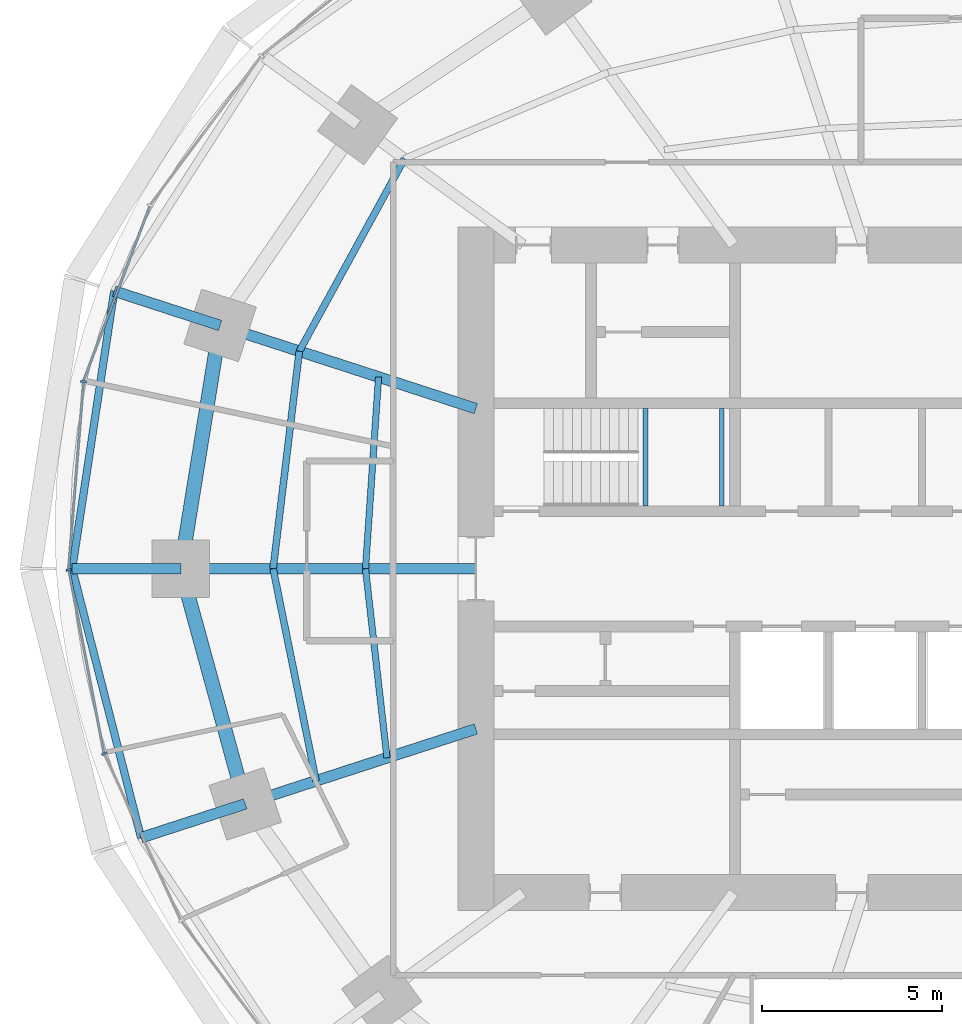
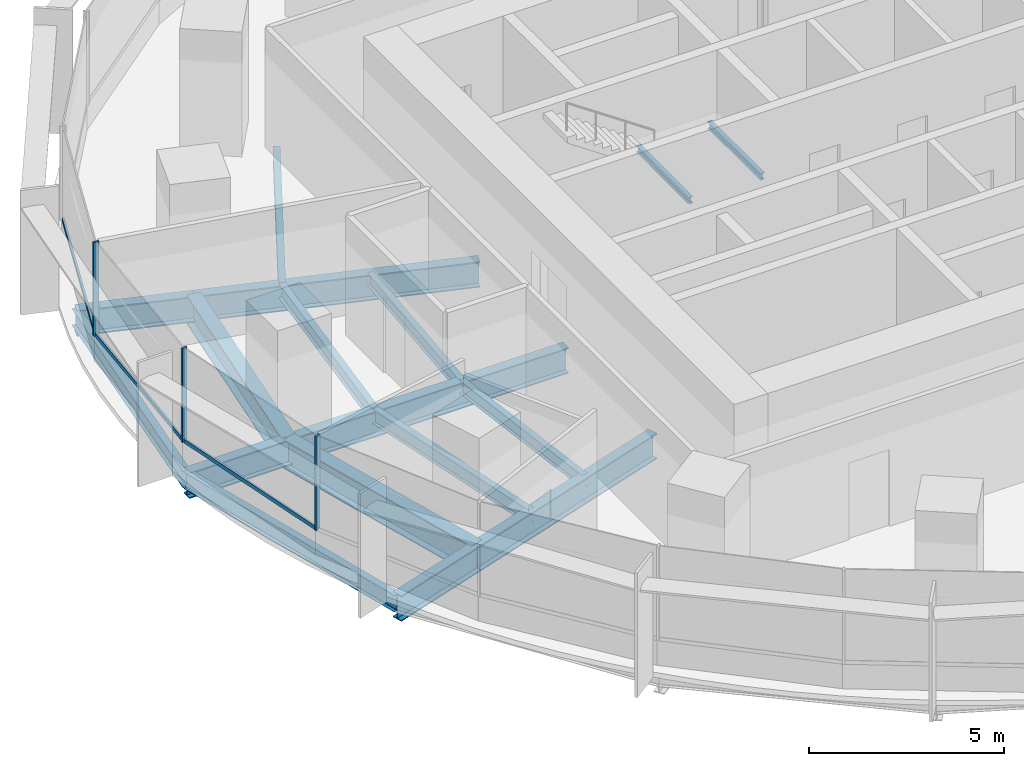
# One storey, part 4 of 14: 17 beams, 6 members, 2 elements without a shape of their own.
"""IFC4 building model written with IfcOpenShell, lengths in metres."""

from ifc_helpers import new_model, si_unit, direction, frame, origin, origin_2d, place, context, subcontext, project, spatial, rectangle, i_section, extrude, material, material_profile, profile_set, type_object, element, aggregate, save


model = new_model("IFC4")

# Units and contexts
model_context = context("Model", 3, precision=1e-05, world=origin(), true_north=direction((0.0, 1.0)))
body_context = subcontext(model_context, "Body", "Model", "MODEL_VIEW")
ifc_project = project(units=[si_unit("LENGTHUNIT", "METRE"), si_unit("AREAUNIT", "SQUARE_METRE"), si_unit("VOLUMEUNIT", "CUBIC_METRE"), si_unit("PLANEANGLEUNIT", "RADIAN"), si_unit("MASSUNIT", "GRAM", prefix="KILO")], contexts=[model_context])

# Site, building, storey
site_placement = place(None, origin())
site = spatial("IfcSite", under=ifc_project, at=site_placement, CompositionType="ELEMENT")
building_placement = place(site_placement, origin())
building = spatial("IfcBuilding", under=site, at=building_placement, Name="Marramba Exchange Tower", CompositionType="ELEMENT")
storey_placement = place(building_placement, frame((0.0, 0.0, 119.699951171875)))
storey = spatial("IfcBuildingStorey", under=building, at=storey_placement, Name="L28", CompositionType="ELEMENT", Elevation=119.699951171875)

# Beams
ifc_material_1 = material(Name="Steel AS/NZS 3679.2 grade 300", Category="steel")
ifc_material_profile_1 = material_profile(ifc_material_1, i_section(OverallWidth=0.300048828125, OverallDepth=0.800048828125, WebThickness=0.013916015625, FlangeThickness=0.031982421875, at=origin_2d()), Name="800WB192")
ifc_profile_set_1 = profile_set([ifc_material_profile_1], Name="Steel AS/NZS 3679.2 grade 300")
beam_type_1 = type_object("IfcBeamType", Name="Cantilever girder 800WB192", PredefinedType="BEAM", material=ifc_profile_set_1)
beam_1_placement = place(storey_placement, frame((-20.808349609375, 6.760986328125, -0.56005859375), z_axis=(-0.95104799017, 0.309043233858, 0.0), x_axis=(-0.309043233858, -0.95104799017, 0.0)))
element("IfcBeam", 1, at=beam_1_placement, inside=storey, type_object=beam_type_1, Name="Cantilever girder L28 TC10", PredefinedType="BEAM", context=body_context, shape_type="SweptSolid", body=[
    extrude(i_section(OverallWidth=0.300048828125, OverallDepth=0.800048828125, WebThickness=0.013916015625, FlangeThickness=0.031982421875, at=origin_2d()), origin(), (0.0, 0.0, 1.0), 3.0927734375),
])
beam_2_placement = place(storey_placement, frame((-21.89990234375, 0.0, -0.56005859375), z_axis=(-1.0, 0.0, 0.0), x_axis=(0.0, -1.0, 0.0)))
element("IfcBeam", 2, at=beam_2_placement, inside=storey, type_object=beam_type_1, Name="Cantilever girder L28 TC11", PredefinedType="BEAM", context=body_context, shape_type="SweptSolid", body=[
    extrude(i_section(OverallWidth=0.300048828125, OverallDepth=0.800048828125, WebThickness=0.013916015625, FlangeThickness=0.031982421875, at=origin_2d()), origin(), (0.0, 0.0, 1.0), 3.01806640625),
])
beam_3_placement = place(storey_placement, frame((-20.109375, -6.533935546875, -0.56005859375), z_axis=(-0.951070617775, -0.308973591113, 0.0), x_axis=(0.308973591113, -0.951070617775, 0.0)))
element("IfcBeam", 3, at=beam_3_placement, inside=storey, type_object=beam_type_1, Name="Cantilever girder L28 TC12", PredefinedType="BEAM", context=body_context, shape_type="SweptSolid", body=[
    extrude(i_section(OverallWidth=0.300048828125, OverallDepth=0.800048828125, WebThickness=0.013916015625, FlangeThickness=0.031982421875, at=origin_2d()), origin(), (0.0, 0.0, 1.0), 3.04296875),
])
ifc_material_2 = material(Name="Steel AS/NZS 3679.1 grade 300", Category="steel")
ifc_material_profile_2 = material_profile(ifc_material_2, i_section(OverallWidth=0.177978515625, OverallDepth=0.406005859375, WebThickness=0.0078125, FlangeThickness=0.0126953125, FilletRadius=0.011474609375, at=origin_2d()), Name="410UB59.7")
ifc_profile_set_2 = profile_set([ifc_material_profile_2], Name="Steel AS/NZS 3679.1 grade 300")
beam_type_2 = type_object("IfcBeamType", Name="Floor joist 410UB59.7", PredefinedType="JOIST", material=ifc_profile_set_2)
beam_4_placement = place(storey_placement, frame((-16.40283203125, 5.32958984375, -0.363037109375), z_axis=(-0.068096259546, -0.99767875563, 0.0), x_axis=(0.99767875563, -0.068096259546, 0.0)))
element("IfcBeam", 4, at=beam_4_placement, inside=storey, type_object=beam_type_2, Name="Joist L28 bay 10 row 1", PredefinedType="JOIST", context=body_context, shape_type="SweptSolid", body=[
    extrude(i_section(OverallWidth=0.177978515625, OverallDepth=0.406005859375, WebThickness=0.0078125, FlangeThickness=0.0126953125, FilletRadius=0.011474609375, at=origin_2d()), origin(), (0.0, 0.0, 1.0), 5.342041015625),
])
beam_5_placement = place(storey_placement, frame((-16.7666015625, 0.0, -0.363037109375), z_axis=(0.112888968594, -0.993607609054, 0.0), x_axis=(0.993607609054, 0.112888968594, 0.0)))
element("IfcBeam", 5, at=beam_5_placement, inside=storey, type_object=beam_type_2, Name="Joist L28 bay 11 row 1", PredefinedType="JOIST", context=body_context, shape_type="SweptSolid", body=[
    extrude(i_section(OverallWidth=0.177978515625, OverallDepth=0.406005859375, WebThickness=0.0078125, FlangeThickness=0.0126953125, FilletRadius=0.011474609375, at=origin_2d()), origin(), (0.0, 0.0, 1.0), 5.28759765625),
])
ifc_material_profile_3 = material_profile(ifc_material_2, i_section(OverallWidth=0.18994140625, OverallDepth=0.4541015625, WebThickness=0.008544921875, FlangeThickness=0.0126953125, FilletRadius=0.011474609375, at=origin_2d()), Name="460UB67.1")
ifc_profile_set_3 = profile_set([ifc_material_profile_3], Name="Steel AS/NZS 3679.1 grade 300")
beam_type_3 = type_object("IfcBeamType", Name="Floor joist 460UB67.1", PredefinedType="JOIST", material=ifc_profile_set_3)
beam_6_placement = place(storey_placement, frame((-15.682373046875, 11.393798828125, -0.386962890625), z_axis=(-0.479584443791, -0.877495732909, 0.0), x_axis=(0.877495732909, -0.479584443791, 0.0)))
element("IfcBeam", 6, at=beam_6_placement, inside=storey, type_object=beam_type_3, Name="Joist L28 bay 09 row 2", PredefinedType="JOIST", context=body_context, shape_type="SweptSolid", body=[
    extrude(i_section(OverallWidth=0.18994140625, OverallDepth=0.4541015625, WebThickness=0.008544921875, FlangeThickness=0.0126953125, FilletRadius=0.011474609375, at=origin_2d()), origin(), (0.0, 0.0, 1.0), 6.094970703125),
])
beam_7_placement = place(storey_placement, frame((-18.60546875, 6.04541015625, -0.386962890625), z_axis=(-0.119523078538, -0.992831422597, 0.0), x_axis=(0.992831422597, -0.119523078538, 0.0)))
element("IfcBeam", 7, at=beam_7_placement, inside=storey, type_object=beam_type_3, Name="Joist L28 bay 10 row 2", PredefinedType="JOIST", context=body_context, shape_type="SweptSolid", body=[
    extrude(i_section(OverallWidth=0.18994140625, OverallDepth=0.4541015625, WebThickness=0.008544921875, FlangeThickness=0.0126953125, FilletRadius=0.011474609375, at=origin_2d()), origin(), (0.0, 0.0, 1.0), 6.089111328125),
])
beam_8_placement = place(storey_placement, frame((-19.333251953125, 0.0, -0.386962890625), z_axis=(0.198489047047, -0.980103105904, 0.0), x_axis=(0.980103105904, 0.198489047047, 0.0)))
element("IfcBeam", 8, at=beam_8_placement, inside=storey, type_object=beam_type_3, Name="Joist L28 bay 11 row 2", PredefinedType="JOIST", context=body_context, shape_type="SweptSolid", body=[
    extrude(i_section(OverallWidth=0.18994140625, OverallDepth=0.4541015625, WebThickness=0.008544921875, FlangeThickness=0.0126953125, FilletRadius=0.011474609375, at=origin_2d()), origin(), (0.0, 0.0, 1.0), 6.013427734375),
])

# Curtain wall, member
ifc_material_3 = material(Name="Aluminium framing, bronze anodised", Category="aluminium")
curtain_wall_type = type_object("IfcCurtainWallType", Name="Office ribbon curtain wall", PredefinedType="USERDEFINED", material=ifc_material_3)
curtain_wall_1_placement = place(storey_placement, origin())
curtain_wall_1 = element("IfcCurtainWall", 9, at=curtain_wall_1_placement, inside=storey, type_object=curtain_wall_type, Name="Curtain wall CW4 L28 F11-F15", ObjectType="RIBBON CURTAIN WALL", PredefinedType="USERDEFINED")
ifc_material_4 = material(Name="Aluminium mullion, bronze anodised", Category="aluminium")
ifc_material_profile_4 = material_profile(ifc_material_4, rectangle(XDim=0.159912109375, YDim=0.06005859375, at=origin_2d()), Name="CW4 mullion 60x160")
ifc_profile_set_4 = profile_set([ifc_material_profile_4], Name="Aluminium mullion, bronze anodised")
member_type_1 = type_object("IfcMemberType", Name="Office ribbon curtain wall mullion", PredefinedType="MULLION", material=ifc_profile_set_4)
member_1_placement = place(storey_placement, frame((-24.603515625, 5.19921875, 0.800048828125), z_axis=(0.0, 0.0, 1.0), x_axis=(0.996838079455, -0.079459696383, 0.0)))
member_1 = element("IfcMember", 10, at=member_1_placement, type_object=member_type_1, Name="CW4 mullion 1", PredefinedType="MULLION", context=body_context, shape_type="SweptSolid", body=[
    extrude(rectangle(XDim=0.159912109375, YDim=0.06005859375, at=origin_2d()), origin(), (0.0, 0.0, 1.0), 2.93994140625),
])

# Curtain wall, members
curtain_wall_2_placement = place(storey_placement, origin())
curtain_wall_2 = element("IfcCurtainWall", 11, at=curtain_wall_2_placement, inside=storey, type_object=curtain_wall_type, Name="Curtain wall CW4 L28 F16-F20", ObjectType="RIBBON CURTAIN WALL", PredefinedType="USERDEFINED")
member_2_placement = place(storey_placement, frame((-25.012451171875, -0.029541015625, 0.800048828125), z_axis=(0.0, 0.0, 1.0), x_axis=(0.982125509078, 0.18822721487, 0.0)))
member_2 = element("IfcMember", 12, at=member_2_placement, type_object=member_type_1, Name="CW4 mullion 1", PredefinedType="MULLION", context=body_context, shape_type="SweptSolid", body=[
    extrude(rectangle(XDim=0.159912109375, YDim=0.06005859375, at=origin_2d()), origin(), (0.0, 0.0, 1.0), 2.93994140625),
])
member_3_placement = place(storey_placement, frame((-24.026123046875, -5.136962890625, 0.800048828125), z_axis=(0.0, 0.0, 1.0), x_axis=(0.909026713177, 0.416737848929, 0.0)))
member_3 = element("IfcMember", 13, at=member_3_placement, type_object=member_type_1, Name="CW4 mullion 1", PredefinedType="MULLION", context=body_context, shape_type="SweptSolid", body=[
    extrude(rectangle(XDim=0.159912109375, YDim=0.06005859375, at=origin_2d()), origin(), (0.0, 0.0, 1.0), 2.93994140625),
])

# Member
ifc_material_5 = material(Name="Aluminium transom, bronze anodised", Category="aluminium")
ifc_material_profile_5 = material_profile(ifc_material_5, rectangle(XDim=0.06005859375, YDim=0.1201171875, at=origin_2d()), Name="CW4 transom 60x120")
ifc_profile_set_5 = profile_set([ifc_material_profile_5], Name="Aluminium transom, bronze anodised")
member_type_2 = type_object("IfcMemberType", Name="Office ribbon curtain wall transom", PredefinedType="USERDEFINED", material=ifc_profile_set_5)
member_4_placement = place(storey_placement, frame((-22.763916015625, 10.069580078125, 0.830078125), z_axis=(-0.354851822252, -0.934922555212, 0.0), x_axis=(0.934922555212, -0.354851822252, 0.0)))
member_4 = element("IfcMember", 14, at=member_4_placement, type_object=member_type_2, Name="CW4 sill transom", ObjectType="TRANSOM", PredefinedType="USERDEFINED", context=body_context, shape_type="SweptSolid", body=[
    extrude(rectangle(XDim=0.06005859375, YDim=0.1201171875, at=origin_2d()), origin(), (0.0, 0.0, 1.0), 5.17724609375),
])

member_5_placement = place(storey_placement, frame((-24.60595703125, 5.16943359375, 0.830078125), z_axis=(-0.07946828762, -0.996837394595, 0.0), x_axis=(0.996837394595, -0.07946828762, 0.0)))
member_5 = element("IfcMember", 15, at=member_5_placement, type_object=member_type_2, Name="CW4 sill transom", ObjectType="TRANSOM", PredefinedType="USERDEFINED", context=body_context, shape_type="SweptSolid", body=[
    extrude(rectangle(XDim=0.06005859375, YDim=0.1201171875, at=origin_2d()), origin(), (0.0, 0.0, 1.0), 5.185791015625),
])

aggregate(curtain_wall_1, [member_4, member_1, member_5])

member_6_placement = place(storey_placement, frame((-25.006591796875, -0.058837890625, 0.830078125), z_axis=(0.188185293992, -0.982133542409, 0.0), x_axis=(0.982133542409, 0.188185293992, 0.0)))
member_6 = element("IfcMember", 16, at=member_6_placement, type_object=member_type_2, Name="CW4 sill transom", ObjectType="TRANSOM", PredefinedType="USERDEFINED", context=body_context, shape_type="SweptSolid", body=[
    extrude(rectangle(XDim=0.06005859375, YDim=0.1201171875, at=origin_2d()), origin(), (0.0, 0.0, 1.0), 5.142578125),
])

aggregate(curtain_wall_2, [member_2, member_6, member_3])

# Beams
ifc_material_profile_6 = material_profile(ifc_material_1, i_section(OverallWidth=0.300048828125, OverallDepth=0.800048828125, WebThickness=0.013916015625, FlangeThickness=0.031982421875, at=origin_2d()), Name="800WB192")
ifc_profile_set_6 = profile_set([ifc_material_profile_6], Name="Steel AS/NZS 3679.2 grade 300")
beam_type_4 = type_object("IfcBeamType", Name="Radial girder 800WB192", PredefinedType="BEAM", material=ifc_profile_set_6)
beam_9_placement = place(storey_placement, frame((-13.699951171875, 4.451416015625, -0.56005859375), z_axis=(-0.951059990189, 0.309006302624, 0.0), x_axis=(-0.309006302624, -0.951059990189, 0.0)))
element("IfcBeam", 17, at=beam_9_placement, inside=storey, type_object=beam_type_4, Name="Radial girder L28 TC10", PredefinedType="BEAM", context=body_context, shape_type="SweptSolid", body=[
    extrude(i_section(OverallWidth=0.300048828125, OverallDepth=0.800048828125, WebThickness=0.013916015625, FlangeThickness=0.031982421875, at=origin_2d()), origin(), (0.0, 0.0, 1.0), 7.47412109375),
])
beam_10_placement = place(storey_placement, frame((-13.699951171875, 0.0, -0.56005859375), z_axis=(-1.0, 0.0, 0.0), x_axis=(0.0, -1.0, 0.0)))
element("IfcBeam", 18, at=beam_10_placement, inside=storey, type_object=beam_type_4, Name="Radial girder L28 TC11", PredefinedType="BEAM", context=body_context, shape_type="SweptSolid", body=[
    extrude(i_section(OverallWidth=0.300048828125, OverallDepth=0.800048828125, WebThickness=0.013916015625, FlangeThickness=0.031982421875, at=origin_2d()), origin(), (0.0, 0.0, 1.0), 8.199951171875),
])
beam_11_placement = place(storey_placement, frame((-13.699951171875, -4.451416015625, -0.56005859375), z_axis=(-0.951057759669, -0.309013167637, 0.0), x_axis=(0.309013167637, -0.951057759669, 0.0)))
element("IfcBeam", 19, at=beam_11_placement, inside=storey, type_object=beam_type_4, Name="Radial girder L28 TC12", PredefinedType="BEAM", context=body_context, shape_type="SweptSolid", body=[
    extrude(i_section(OverallWidth=0.300048828125, OverallDepth=0.800048828125, WebThickness=0.013916015625, FlangeThickness=0.031982421875, at=origin_2d()), origin(), (0.0, 0.0, 1.0), 6.7392578125),
])
ifc_material_profile_7 = material_profile(ifc_material_1, i_section(OverallWidth=0.39990234375, OverallDepth=0.89990234375, WebThickness=0.01611328125, FlangeThickness=0.031982421875, at=origin_2d()), Name="900WB282")
ifc_profile_set_7 = profile_set([ifc_material_profile_7], Name="Steel AS/NZS 3679.2 grade 300")
beam_type_5 = type_object("IfcBeamType", Name="Ring beam 900WB282", PredefinedType="SPANDREL", material=ifc_profile_set_7)
beam_12_placement = place(storey_placement, frame((-20.808349609375, 6.760986328125, -0.60986328125), z_axis=(-0.159384865399, -0.987216523708, 0.0), x_axis=(0.987216523708, -0.159384865399, 0.0)))
element("IfcBeam", 20, at=beam_12_placement, inside=storey, type_object=beam_type_5, Name="Ring beam L28 TC10-TC11", PredefinedType="SPANDREL", context=body_context, shape_type="SweptSolid", body=[
    extrude(i_section(OverallWidth=0.39990234375, OverallDepth=0.89990234375, WebThickness=0.01611328125, FlangeThickness=0.031982421875, at=origin_2d()), origin(), (0.0, 0.0, 1.0), 6.8486328125),
])
beam_13_placement = place(storey_placement, frame((-21.89990234375, 0.0, -0.60986328125), z_axis=(0.264291166956, -0.964442937176, 0.0), x_axis=(0.964442937176, 0.264291166956, 0.0)))
element("IfcBeam", 21, at=beam_13_placement, inside=storey, type_object=beam_type_5, Name="Ring beam L28 TC11-TC12", PredefinedType="SPANDREL", context=body_context, shape_type="SweptSolid", body=[
    extrude(i_section(OverallWidth=0.39990234375, OverallDepth=0.89990234375, WebThickness=0.01611328125, FlangeThickness=0.031982421875, at=origin_2d()), origin(), (0.0, 0.0, 1.0), 6.77490234375),
])
ifc_material_profile_8 = material_profile(ifc_material_2, i_section(OverallWidth=0.208984375, OverallDepth=0.528076171875, WebThickness=0.009521484375, FlangeThickness=0.01318359375, FilletRadius=0.013916015625, at=origin_2d()), Name="530UB82.0")
ifc_profile_set_8 = profile_set([ifc_material_profile_8], Name="Steel AS/NZS 3679.1 grade 300")
beam_type_6 = type_object("IfcBeamType", Name="Slab edge beam 530UB82.0", PredefinedType="SPANDREL", material=ifc_profile_set_8)
beam_14_placement = place(storey_placement, frame((-23.749755859375, 7.716796875, -0.424072265625), z_axis=(-0.149680281727, -0.988734450326, 0.0), x_axis=(0.988734450326, -0.149680281727, 0.0)))
element("IfcBeam", 22, at=beam_14_placement, inside=storey, type_object=beam_type_6, Name="Slab edge beam L28 TC10-TC11", PredefinedType="SPANDREL", context=body_context, shape_type="SweptSolid", body=[
    extrude(i_section(OverallWidth=0.208984375, OverallDepth=0.528076171875, WebThickness=0.009521484375, FlangeThickness=0.01318359375, FilletRadius=0.013916015625, at=origin_2d()), origin(), (0.0, 0.0, 1.0), 7.8046875),
])
beam_15_placement = place(storey_placement, frame((-24.91796875, 0.0, -0.424072265625), z_axis=(0.248145427917, -0.968722791413, 0.0), x_axis=(0.968722791413, 0.248145427917, 0.0)))
element("IfcBeam", 23, at=beam_15_placement, inside=storey, type_object=beam_type_6, Name="Slab edge beam L28 TC11-TC12", PredefinedType="SPANDREL", context=body_context, shape_type="SweptSolid", body=[
    extrude(i_section(OverallWidth=0.208984375, OverallDepth=0.528076171875, WebThickness=0.009521484375, FlangeThickness=0.01318359375, FilletRadius=0.013916015625, at=origin_2d()), origin(), (0.0, 0.0, 1.0), 7.71533203125),
])
ifc_material_profile_9 = material_profile(ifc_material_2, i_section(OverallWidth=0.133056640625, OverallDepth=0.202880859375, WebThickness=0.005859375, FlangeThickness=0.0078125, FilletRadius=0.0087890625, at=origin_2d()), Name="200UB25.4")
ifc_profile_set_9 = profile_set([ifc_material_profile_9], Name="Steel AS/NZS 3679.1 grade 300")
beam_type_7 = type_object("IfcBeamType", Name="Stair landing beam 200UB25.4", PredefinedType="BEAM", material=ifc_profile_set_9)
for number, where, z_axis, x_axis, name in (
    (24, (-8.9833984375, 1.75, 1.6484375), (0.0, 1.0, 0.0), (-1.0, 0.0, 0.0), "Stair landing beam SLB1 ST1 L28 1"),
    (25, (-6.866455078125, 1.75, 1.6484375), (0.0, 1.0, 0.0), (-1.0, 0.0, 0.0), "Stair landing beam SLB1 ST1 L28 2"),
):
    element("IfcBeam", number, at=place(storey_placement, frame(where, z_axis=z_axis, x_axis=x_axis)), inside=storey, type_object=beam_type_7, Name=name, PredefinedType="BEAM", context=body_context, shape_type="SweptSolid", body=[
        extrude(i_section(OverallWidth=0.133056640625, OverallDepth=0.202880859375, WebThickness=0.005859375, FlangeThickness=0.0078125, FilletRadius=0.0087890625, at=origin_2d()), origin(), (0.0, 0.0, 1.0), 2.699951171875),
    ])

save(model, "model.ifc")
